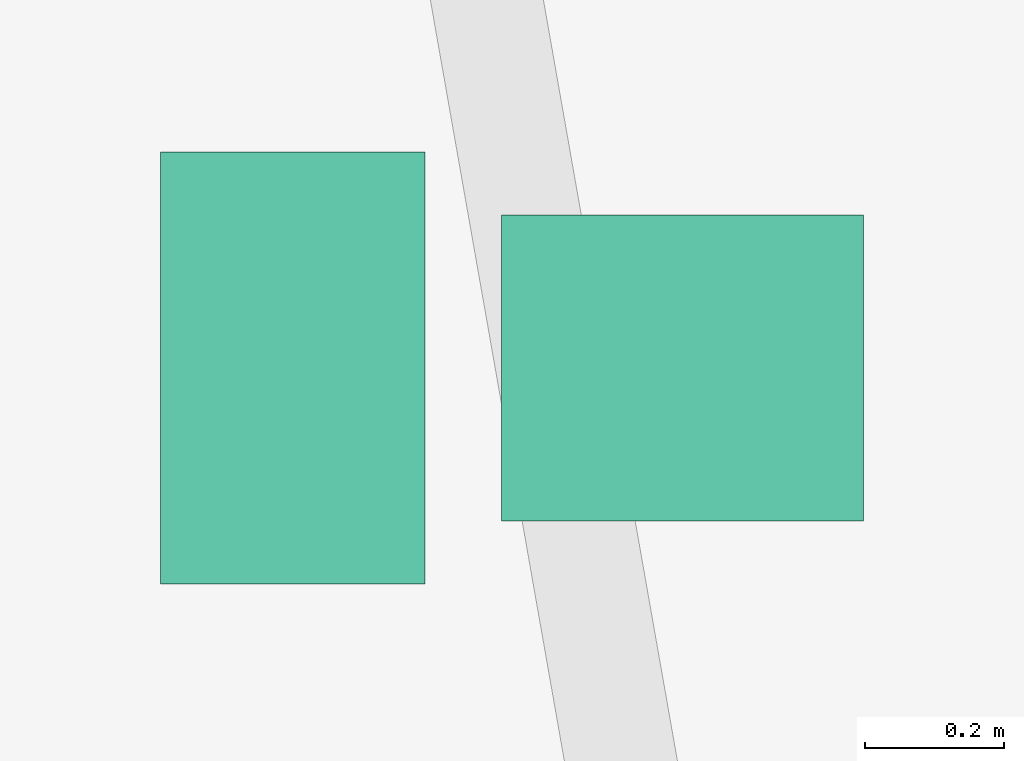
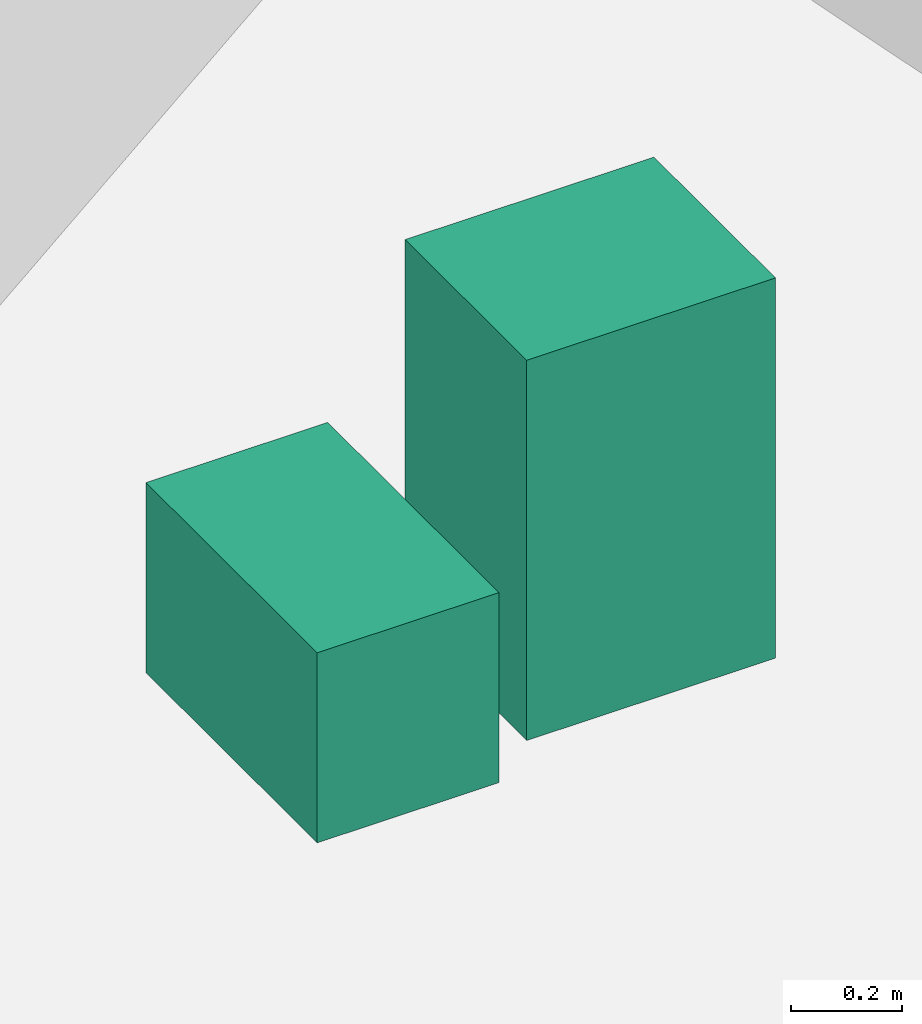
# One storey, part 11 of 11: 2 sanitary terminals.
"""IFC4 building model written with IfcOpenShell, lengths in metres."""

from ifc_helpers import new_model, si_unit, direction, frame, origin, origin_2d, place, context, subcontext, project, spatial, rectangle, extrude, source, transform, mapped, material, type_object, element, save


model = new_model("IFC4")

# Units and contexts
model_context = context("Model", 3, precision=1e-05, world=origin(), true_north=direction((0.0, 1.0)))
body_context = subcontext(model_context, "Body", "Model", "MODEL_VIEW")
ifc_project = project(units=[si_unit("LENGTHUNIT", "METRE"), si_unit("AREAUNIT", "SQUARE_METRE"), si_unit("VOLUMEUNIT", "CUBIC_METRE"), si_unit("PLANEANGLEUNIT", "RADIAN"), si_unit("MASSUNIT", "GRAM", prefix="KILO")], contexts=[model_context])

# Site, building, storey
site_placement = place(None, origin())
site = spatial("IfcSite", under=ifc_project, at=site_placement, CompositionType="ELEMENT")
building_placement = place(site_placement, origin())
building = spatial("IfcBuilding", under=site, at=building_placement, Name="Qafzar Sky-Pleat Residences", CompositionType="ELEMENT")
storey_placement = place(building_placement, frame((0.0, 0.0, 214.800048828125)))
storey = spatial("IfcBuildingStorey", under=building, at=storey_placement, Name="L64", CompositionType="ELEMENT", Elevation=214.800048828125)

# Sanitary terminals
ifc_material = material(Name="Vitreous china sanitaryware")
sanitary_terminal_type_1 = type_object("IfcSanitaryTerminalType", Name="SAN-WC-PAN", PredefinedType="TOILETPAN", material=ifc_material)
shared_shape_1 = source(origin(), body_context, "Body", "SweptSolid", [
    extrude(rectangle(XDim=0.3798828125, YDim=0.6201171875, at=origin_2d()), origin(), (0.0, 0.0, 1.0), 0.419921875),
])
sanitary_terminal_1_placement = place(storey_placement, frame((39.677978515625, 30.823486328125, 0.0), z_axis=(0.0, 0.0, 1.0), x_axis=(1.0, 0.0, 0.0)))
element("IfcSanitaryTerminal", 1, at=sanitary_terminal_1_placement, inside=storey, type_object=sanitary_terminal_type_1, Name="L64 Accessible Shared Washroom WC Pan", PredefinedType="TOILETPAN", context=body_context, shape_type="MappedRepresentation", body=[
    mapped(shared_shape_1, transform((0.0, 0.0, 0.0), x_axis=(1.0, 0.0, 0.0), y_axis=(0.0, 1.0, 0.0), z_axis=(0.0, 0.0, 1.0), scale=1.0)),
])
sanitary_terminal_type_2 = type_object("IfcSanitaryTerminalType", Name="SAN-BASIN", PredefinedType="WASHHANDBASIN", material=ifc_material)
shared_shape_2 = source(origin(), body_context, "Body", "SweptSolid", [
    extrude(rectangle(XDim=0.52001953125, YDim=0.43994140625, at=origin_2d()), origin(), (0.0, 0.0, 1.0), 0.840087890625),
])
sanitary_terminal_2_placement = place(storey_placement, frame((40.23779296875, 30.823486328125, 0.0), z_axis=(0.0, 0.0, 1.0), x_axis=(1.0, 0.0, 0.0)))
element("IfcSanitaryTerminal", 2, at=sanitary_terminal_2_placement, inside=storey, type_object=sanitary_terminal_type_2, Name="L64 Accessible Shared Washroom Pedestal Washbasin", PredefinedType="WASHHANDBASIN", context=body_context, shape_type="MappedRepresentation", body=[
    mapped(shared_shape_2, transform((0.0, 0.0, 0.0), x_axis=(1.0, 0.0, 0.0), y_axis=(0.0, 1.0, 0.0), z_axis=(0.0, 0.0, 1.0), scale=1.0)),
])

save(model, "model.ifc")
